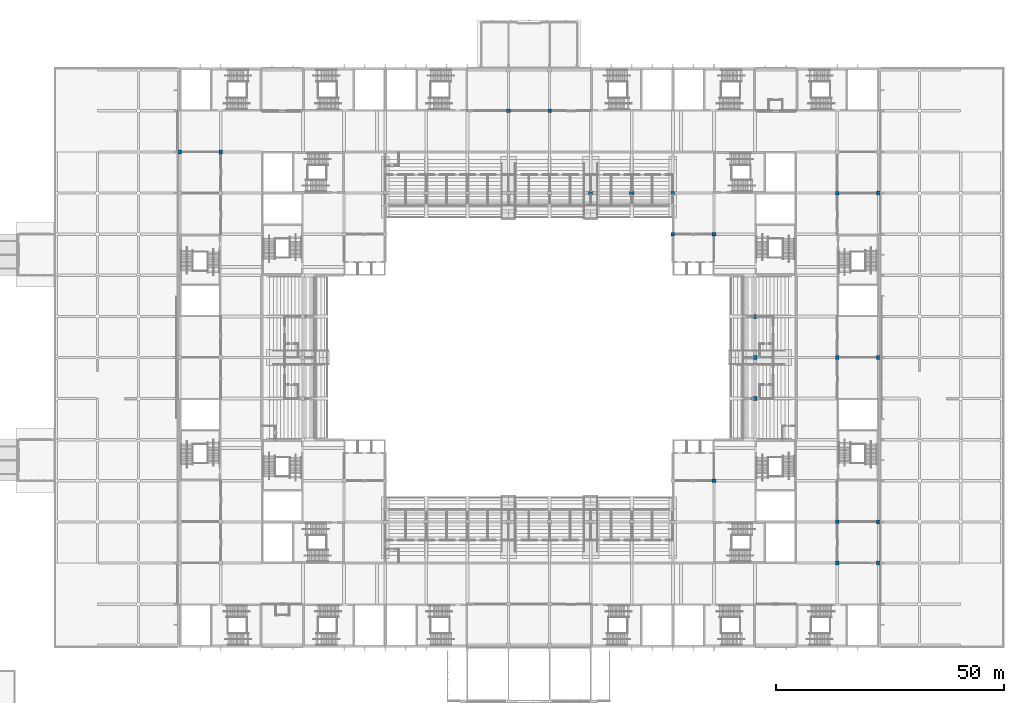
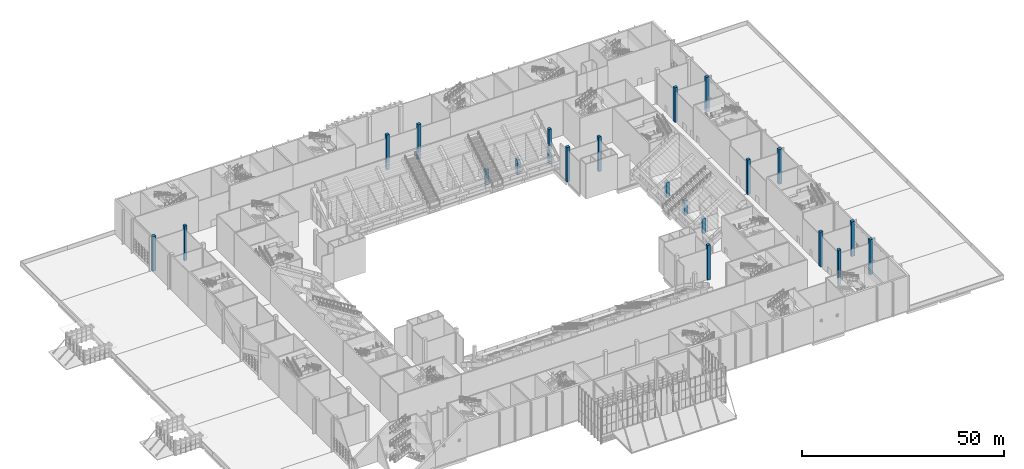
# One storey, part 10 of 182: 21 columns.
"""IFC4 building model written with IfcOpenShell, lengths in metres."""

from ifc_helpers import new_model, si_unit, direction, frame, origin, origin_2d, place, context, subcontext, project, spatial, rectangle, extrude, material, material_profile, profile_set, type_object, element, save


model = new_model("IFC4")

# Units and contexts
model_context = context("Model", 3, precision=1e-05, world=origin(), true_north=direction((0.0, 1.0)))
body_context = subcontext(model_context, "Body", "Model", "MODEL_VIEW")
ifc_project = project(units=[si_unit("LENGTHUNIT", "METRE"), si_unit("AREAUNIT", "SQUARE_METRE"), si_unit("VOLUMEUNIT", "CUBIC_METRE"), si_unit("PLANEANGLEUNIT", "RADIAN"), si_unit("MASSUNIT", "GRAM", prefix="KILO")], contexts=[model_context])

# Site, building, storey
site_placement = place(None, origin())
site = spatial("IfcSite", under=ifc_project, at=site_placement, CompositionType="ELEMENT")
building_placement = place(site_placement, origin())
building = spatial("IfcBuilding", under=site, at=building_placement, Name="Silverbay Arena", CompositionType="ELEMENT")
storey_placement = place(building_placement, frame((0.0, 0.0, 11.5)))
storey = spatial("IfcBuildingStorey", under=building, at=storey_placement, Name="L02", CompositionType="ELEMENT", Elevation=11.5)

# Columns
ifc_material_1 = material(Name="Concrete Grade C45", Category="concrete")
ifc_material_profile_1 = material_profile(ifc_material_1, rectangle(XDim=0.800048828125, YDim=0.800048828125, at=origin_2d()), Name="RC 800x800")
ifc_profile_set_1 = profile_set([ifc_material_profile_1], Name="Concrete Grade C45")
column_type_1 = type_object("IfcColumnType", Name="RC column 800x800", PredefinedType="COLUMN", material=ifc_profile_set_1)
for number, where, z_axis, x_axis, name in (
    (1, (126.0, 135.0, 0.0), (0.0, 0.0, 1.0), (1.0, 0.0, 0.0), "Column 15/R L02"),
    (2, (135.0, 135.0, 0.0), (0.0, 0.0, 1.0), (1.0, 0.0, 0.0), "Column 16/R L02"),
    (3, (198.0, 36.0, 0.0), (0.0, 0.0, 1.0), (1.0, 0.0, 0.0), "Column 23/E L02"),
    (4, (198.0, 45.0, 0.0), (0.0, 0.0, 1.0), (1.0, 0.0, 0.0), "Column 23/F L02"),
    (5, (198.0, 81.0, 0.0), (0.0, 0.0, 1.0), (1.0, 0.0, 0.0), "Column 23/K L02"),
    (6, (198.0, 117.0, 0.0), (0.0, 0.0, 1.0), (1.0, 0.0, 0.0), "Column 23/P L02"),
    (7, (63.0, 126.0, 0.0), (0.0, 0.0, 1.0), (1.0, 0.0, 0.0), "Column 8/Q L02"),
    (8, (171.0, 54.0, 0.0), (0.0, 0.0, 1.0), (1.0, 0.0, 0.0), "Column 20/G L02"),
    (9, (162.0, 108.0, 0.0), (0.0, 0.0, 1.0), (1.0, 0.0, 0.0), "Column 19/N L02"),
    (10, (162.0, 117.0, 0.0), (0.0, 0.0, 1.0), (1.0, 0.0, 0.0), "Column 19/P L02"),
    (11, (171.0, 108.0, 0.0), (0.0, 0.0, 1.0), (1.0, 0.0, 0.0), "Column 20/N L02"),
):
    element("IfcColumn", number, at=place(storey_placement, frame(where, z_axis=z_axis, x_axis=x_axis)), inside=storey, type_object=column_type_1, Name=name, PredefinedType="COLUMN", context=body_context, shape_type="SweptSolid", body=[
        extrude(rectangle(XDim=0.800048828125, YDim=0.800048828125, at=origin_2d()), origin(), (0.0, 0.0, 1.0), 10.5),
    ])
ifc_material_2 = material(Name="Concrete Grade C45", Category="concrete")
ifc_material_profile_2 = material_profile(ifc_material_2, rectangle(XDim=0.89990234375, YDim=0.89990234375, at=origin_2d()), Name="RC 900x900")
ifc_profile_set_2 = profile_set([ifc_material_profile_2], Name="Concrete Grade C45")
column_type_2 = type_object("IfcColumnType", Name="RC column 900x900", PredefinedType="COLUMN", material=ifc_profile_set_2)
for number, where, z_axis, x_axis, name in (
    (12, (207.0, 36.0, 0.0), (0.0, 0.0, 1.0), (1.0, 0.0, 0.0), "Column 24/E L02"),
    (13, (207.0, 45.0, 0.0), (0.0, 0.0, 1.0), (1.0, 0.0, 0.0), "Column 24/F L02"),
    (14, (207.0, 81.0, 0.0), (0.0, 0.0, 1.0), (1.0, 0.0, 0.0), "Column 24/K L02"),
    (15, (207.0, 117.0, 0.0), (0.0, 0.0, 1.0), (1.0, 0.0, 0.0), "Column 24/P L02"),
    (16, (54.0, 126.0, 0.0), (0.0, 0.0, 1.0), (1.0, 0.0, 0.0), "Column 7/Q L02"),
):
    element("IfcColumn", number, at=place(storey_placement, frame(where, z_axis=z_axis, x_axis=x_axis)), inside=storey, type_object=column_type_2, Name=name, PredefinedType="COLUMN", context=body_context, shape_type="SweptSolid", body=[
        extrude(rectangle(XDim=0.89990234375, YDim=0.89990234375, at=origin_2d()), origin(), (0.0, 0.0, 1.0), 10.5),
    ])
for number, where, z_axis, x_axis, name in (
    (17, (144.0, 117.0, 0.0), (0.0, 0.0, 1.0), (1.0, 0.0, 0.0), "Column 17/P L02"),
    (18, (153.0, 117.0, 0.0), (0.0, 0.0, 1.0), (1.0, 0.0, 0.0), "Column 18/P L02"),
    (19, (180.0, 72.0, 0.0), (0.0, 0.0, 1.0), (1.0, 0.0, 0.0), "Column 21/J L02"),
    (20, (180.0, 81.0, 0.0), (0.0, 0.0, 1.0), (1.0, 0.0, 0.0), "Column 21/K L02"),
    (21, (180.0, 90.0, 0.0), (0.0, 0.0, 1.0), (1.0, 0.0, 0.0), "Column 21/L L02"),
):
    element("IfcColumn", number, at=place(storey_placement, frame(where, z_axis=z_axis, x_axis=x_axis)), inside=storey, type_object=column_type_2, Name=name, PredefinedType="COLUMN", context=body_context, shape_type="SweptSolid", body=[
        extrude(rectangle(XDim=0.89990234375, YDim=0.89990234375, at=origin_2d()), origin(), (0.0, 0.0, 1.0), 4.505615234375),
    ])

save(model, "model.ifc")
